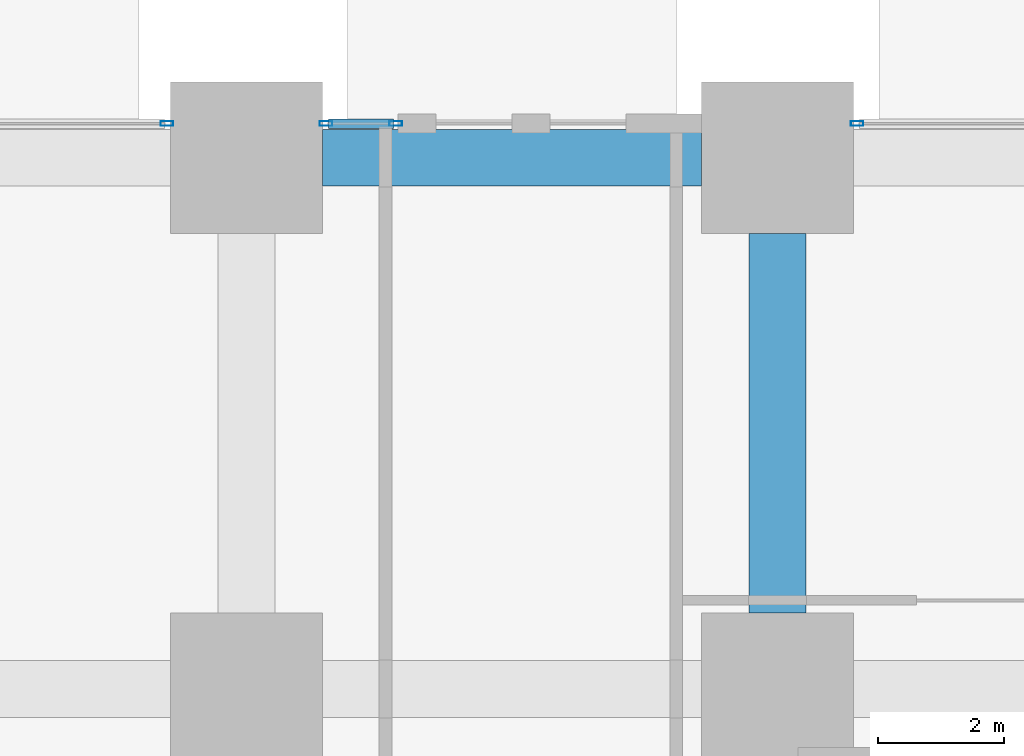
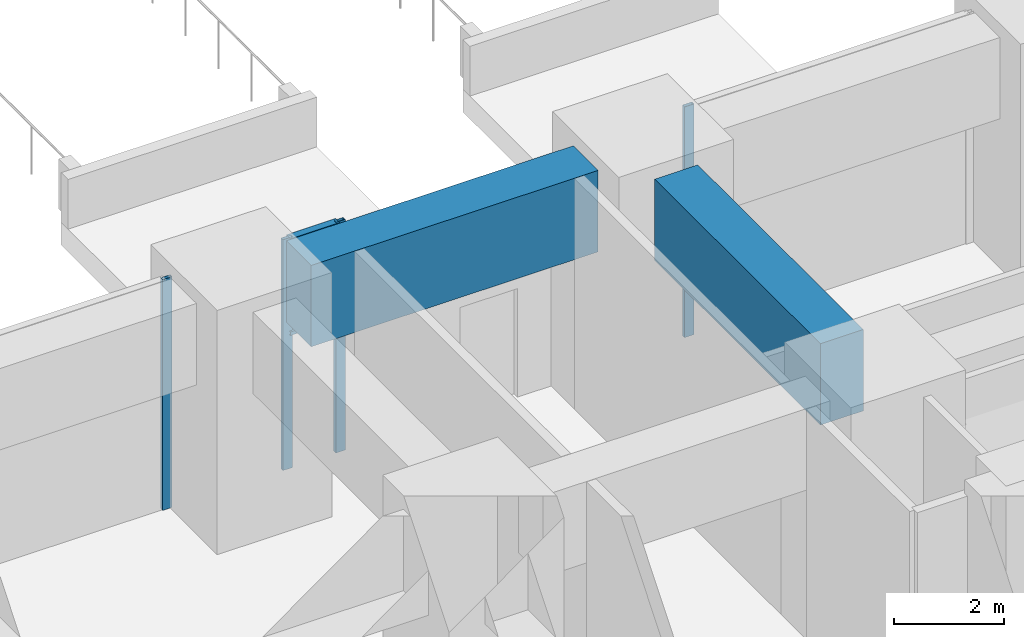
# One storey, part 24 of 81: 6 members, 2 beams, 3 elements without a shape of their own.
"""IFC4 building model written with IfcOpenShell, lengths in metres."""

from ifc_helpers import new_model, si_unit, direction, frame, origin, origin_2d, place, context, subcontext, project, spatial, rectangle, hollow_rectangle, extrude, material, material_profile, profile_set, type_object, element, aggregate, save


model = new_model("IFC4")

# Units and contexts
model_context = context("Model", 3, precision=1e-05, world=origin(), true_north=direction((0.0, 1.0)))
body_context = subcontext(model_context, "Body", "Model", "MODEL_VIEW")
ifc_project = project(units=[si_unit("LENGTHUNIT", "METRE"), si_unit("AREAUNIT", "SQUARE_METRE"), si_unit("VOLUMEUNIT", "CUBIC_METRE"), si_unit("PLANEANGLEUNIT", "RADIAN"), si_unit("MASSUNIT", "GRAM", prefix="KILO")], contexts=[model_context])

# Site, building, storey
site_placement = place(None, origin())
site = spatial("IfcSite", under=ifc_project, at=site_placement, CompositionType="ELEMENT")
building_placement = place(site_placement, origin())
building = spatial("IfcBuilding", under=site, at=building_placement, Name="Rekha Terrace Tower", CompositionType="ELEMENT")
storey_placement = place(building_placement, origin())
storey = spatial("IfcBuildingStorey", under=building, at=storey_placement, Name="L00", CompositionType="ELEMENT", Elevation=0.0)

# Curtain wall, member
ifc_material_1 = material(Name="Aluminium framing", Category="aluminium")
curtain_wall_type = type_object("IfcCurtainWallType", Name="CW4 podium shopfront glazing", PredefinedType="USERDEFINED", material=ifc_material_1)
curtain_wall_1_placement = place(storey_placement, origin())
curtain_wall_1 = element("IfcCurtainWall", 1, at=curtain_wall_1_placement, inside=storey, type_object=curtain_wall_type, Name="CW4 shopfront curtain wall", ObjectType="SHOPFRONT CURTAIN WALL", PredefinedType="USERDEFINED")
ifc_material_2 = material(Name="Aluminium mullion section", Category="aluminium")
ifc_material_profile_1 = material_profile(ifc_material_2, hollow_rectangle(XDim=0.074951171875, YDim=0.199951171875, WallThickness=0.00390625, at=origin_2d()), Name="AL RHS 75x200")
ifc_profile_set_1 = profile_set([ifc_material_profile_1], Name="Aluminium mullion section")
member_type_1 = type_object("IfcMemberType", Name="CW4 mullion RHS 75 x 200", PredefinedType="MULLION", material=ifc_profile_set_1)
member_1_placement = place(storey_placement, frame((26.45751953125, 59.340087890625, 0.0), z_axis=(0.0, 0.0, 1.0), x_axis=(0.0, -1.0, 0.0)))
member_1 = element("IfcMember", 2, at=member_1_placement, type_object=member_type_1, Name="CW4 mullion 2", PredefinedType="MULLION", context=body_context, shape_type="SweptSolid", body=[
    extrude(hollow_rectangle(XDim=0.074951171875, YDim=0.199951171875, WallThickness=0.00390625, at=origin_2d()), origin(), (0.0, 0.0, 1.0), 5.10009765625),
])
aggregate(curtain_wall_1, [member_1])

# Curtain wall, members
curtain_wall_2_placement = place(storey_placement, origin())
curtain_wall_2 = element("IfcCurtainWall", 3, at=curtain_wall_2_placement, inside=storey, type_object=curtain_wall_type, Name="CW4 shopfront curtain wall", ObjectType="SHOPFRONT CURTAIN WALL", PredefinedType="USERDEFINED")
member_2_placement = place(storey_placement, frame((19.16259765625, 59.340087890625, 0.0), z_axis=(0.0, 0.0, 1.0), x_axis=(0.0, -1.0, 0.0)))
member_2 = element("IfcMember", 4, at=member_2_placement, type_object=member_type_1, Name="CW4 mullion 1", PredefinedType="MULLION", context=body_context, shape_type="SweptSolid", body=[
    extrude(hollow_rectangle(XDim=0.074951171875, YDim=0.199951171875, WallThickness=0.00390625, at=origin_2d()), origin(), (0.0, 0.0, 1.0), 5.10009765625),
])
member_3_placement = place(storey_placement, frame((18.0576171875, 59.340087890625, 0.0), z_axis=(0.0, 0.0, 1.0), x_axis=(0.0, -1.0, 0.0)))
member_3 = element("IfcMember", 5, at=member_3_placement, type_object=member_type_1, Name="CW4 mullion 2", PredefinedType="MULLION", context=body_context, shape_type="SweptSolid", body=[
    extrude(hollow_rectangle(XDim=0.074951171875, YDim=0.199951171875, WallThickness=0.00390625, at=origin_2d()), origin(), (0.0, 0.0, 1.0), 5.10009765625),
])

# Curtain wall, member
curtain_wall_3_placement = place(storey_placement, origin())
curtain_wall_3 = element("IfcCurtainWall", 6, at=curtain_wall_3_placement, inside=storey, type_object=curtain_wall_type, Name="CW4 shopfront curtain wall", ObjectType="SHOPFRONT CURTAIN WALL", PredefinedType="USERDEFINED")
member_4_placement = place(storey_placement, frame((15.54248046875, 59.340087890625, 0.0), z_axis=(0.0, 0.0, 1.0), x_axis=(0.0, -1.0, 0.0)))
member_4 = element("IfcMember", 7, at=member_4_placement, type_object=member_type_1, Name="CW4 mullion 1", PredefinedType="MULLION", context=body_context, shape_type="SweptSolid", body=[
    extrude(hollow_rectangle(XDim=0.074951171875, YDim=0.199951171875, WallThickness=0.00390625, at=origin_2d()), origin(), (0.0, 0.0, 1.0), 5.10009765625),
])
aggregate(curtain_wall_3, [member_4])

# Member
ifc_material_3 = material(Name="Aluminium transom section", Category="aluminium")
ifc_material_profile_2 = material_profile(ifc_material_3, hollow_rectangle(XDim=0.14990234375, YDim=0.074951171875, WallThickness=0.0029296875, at=origin_2d()), Name="AL RHS 150x75")
ifc_profile_set_2 = profile_set([ifc_material_profile_2], Name="Aluminium transom section")
member_type_2 = type_object("IfcMemberType", Name="CW4 transom RHS 75 x 150", PredefinedType="USERDEFINED", material=ifc_profile_set_2)
member_5_placement = place(storey_placement, frame((19.125, 59.340087890625, 3.0), z_axis=(-1.0, 0.0, 0.0), x_axis=(0.0, -1.0, 0.0)))
member_5 = element("IfcMember", 8, at=member_5_placement, type_object=member_type_2, Name="CW4 transom 1.2", ObjectType="TRANSOM", PredefinedType="USERDEFINED", context=body_context, shape_type="SweptSolid", body=[
    extrude(hollow_rectangle(XDim=0.14990234375, YDim=0.074951171875, WallThickness=0.0029296875, at=origin_2d()), origin(), (0.0, 0.0, 1.0), 1.030029296875),
])

member_6_placement = place(storey_placement, frame((19.125, 59.340087890625, 5.0625), z_axis=(-1.0, 0.0, 0.0), x_axis=(0.0, -1.0, 0.0)))
member_6 = element("IfcMember", 9, at=member_6_placement, type_object=member_type_2, Name="CW4 transom 1.3", ObjectType="TRANSOM", PredefinedType="USERDEFINED", context=body_context, shape_type="SweptSolid", body=[
    extrude(hollow_rectangle(XDim=0.14990234375, YDim=0.074951171875, WallThickness=0.0029296875, at=origin_2d()), origin(), (0.0, 0.0, 1.0), 1.030029296875),
])

aggregate(curtain_wall_2, [member_2, member_3, member_5, member_6])

# Beams
ifc_material_4 = material(Name="Concrete M60", Category="concrete")
ifc_material_profile_3 = material_profile(ifc_material_4, rectangle(XDim=0.89990234375, YDim=1.800048828125, at=origin_2d()), Name="RC 900x1800")
ifc_profile_set_3 = profile_set([ifc_material_profile_3], Name="Concrete M60")
beam_type = type_object("IfcBeamType", Name="G1 900x1800 podium floor beam", PredefinedType="BEAM", material=ifc_profile_set_3)
for number, where, z_axis, x_axis, name in (
    (10, (18.0, 58.800048828125, 4.199951171875), (1.0, 0.0, 0.0), (0.0, 1.0, 0.0), "Beam G1 3H-4H under L01"),
    (11, (25.199951171875, 51.60009765625, 4.199951171875), (0.0, 1.0, 0.0), (-1.0, 0.0, 0.0), "Beam G1 4G-4H under L01"),
):
    element("IfcBeam", number, at=place(storey_placement, frame(where, z_axis=z_axis, x_axis=x_axis)), inside=storey, type_object=beam_type, Name=name, PredefinedType="BEAM", context=body_context, shape_type="SweptSolid", body=[
        extrude(rectangle(XDim=0.89990234375, YDim=1.800048828125, at=origin_2d()), origin(), (0.0, 0.0, 1.0), 6.0),
    ])

save(model, "model.ifc")
